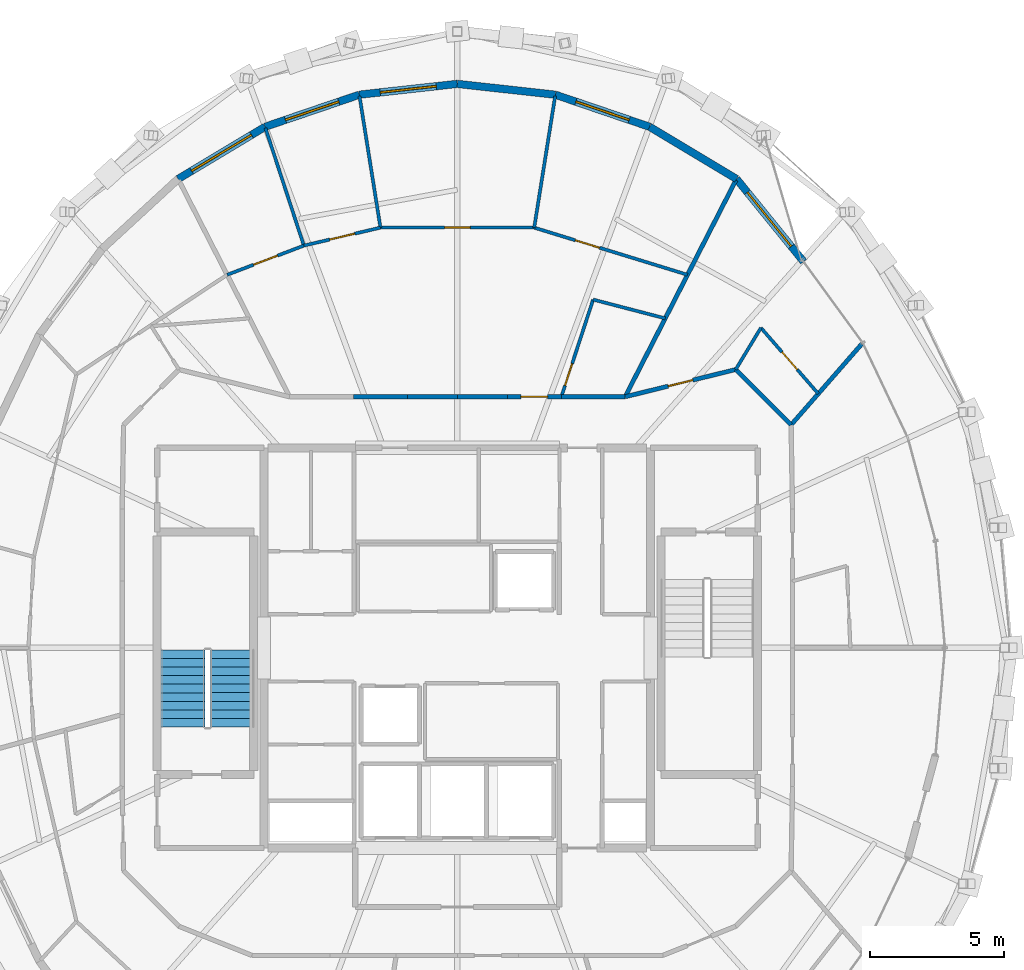
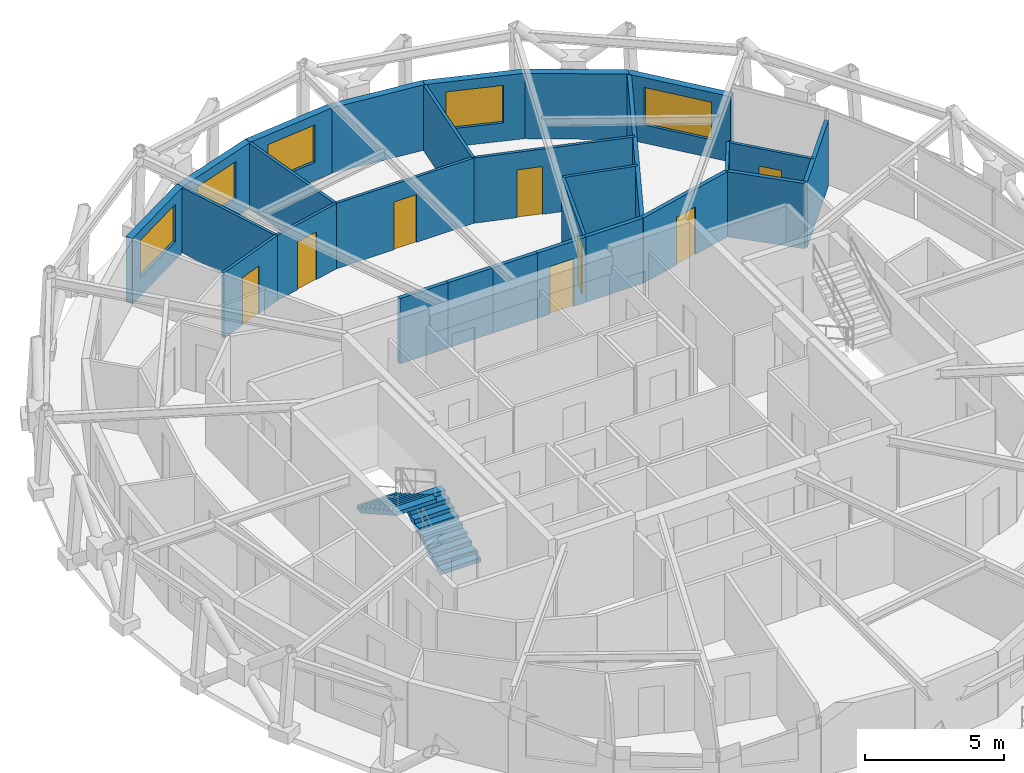
# One storey, part 14 of 16: 27 walls, 8 doors, 5 windows, 2 stair flights, 13 openings, 1 element without a shape of its own.
"""IFC4 building model written with IfcOpenShell, lengths in metres."""

from ifc_helpers import new_model, si_unit, direction, frame, frame_2d, origin, place, context, subcontext, project, spatial, polyline, rectangle, outline, extrude, material, layer, layer_set, type_object, element, fill, aggregate, save


model = new_model("IFC4")

# Units and contexts
model_context = context("Model", 3, precision=1e-05, world=origin(), true_north=direction((0.0, 1.0)))
body_context = subcontext(model_context, "Body", "Model", "MODEL_VIEW")
ifc_project = project(units=[si_unit("LENGTHUNIT", "METRE"), si_unit("AREAUNIT", "SQUARE_METRE"), si_unit("VOLUMEUNIT", "CUBIC_METRE"), si_unit("PLANEANGLEUNIT", "RADIAN"), si_unit("MASSUNIT", "GRAM", prefix="KILO")], contexts=[model_context])

# Site, building, storey
site_placement = place(None, origin())
site = spatial("IfcSite", under=ifc_project, at=site_placement, CompositionType="ELEMENT")
building_placement = place(site_placement, origin())
building = spatial("IfcBuilding", under=site, at=building_placement, Name="Veldorina Hangang Commons", CompositionType="ELEMENT")
storey_placement = place(building_placement, frame((0.0, 0.0, 279.60009765625)))
storey = spatial("IfcBuildingStorey", under=building, at=storey_placement, Name="L73", CompositionType="ELEMENT", Elevation=279.60009765625)

# Wall, opening, window
ifc_material_1 = material(Name="Stone Roman Travertine", Category="masonry")
ifc_layer_1 = layer(ifc_material_1, 0.280029296875)
ifc_layer_set_1 = layer_set([ifc_layer_1], Name="Stone Roman Travertine")
wall_type_1 = type_object("IfcWallType", Name="EW-TRAV-280", PredefinedType="STANDARD", material=ifc_layer_set_1)
wall_1_placement = place(storey_placement, frame((44.893798828125, 38.38232421875, 0.0), z_axis=(0.0, 0.0, 1.0), x_axis=(-0.629952569376, 0.776633607524, 0.0)))
wall_1 = element("IfcWall", 1, at=wall_1_placement, inside=storey, type_object=wall_type_1, Name="L73 travertine facade wall 04", PredefinedType="STANDARD", context=body_context, shape_type="SweptSolid", body=[
    extrude(rectangle(XDim=3.964599609375, YDim=0.280029296875, at=frame_2d((1.982421875, 0.0))), origin(), (0.0, 0.0, 1.0), 2.8798828125),
])
opening_1_placement = place(wall_1_placement, frame((0.728515625, 0.0, 0.800048828125)))
opening_1 = element("IfcOpeningElement", 2, at=opening_1_placement, cuts=wall_1, Name="Opening W-02", PredefinedType="OPENING", context=body_context, shape_type="SweptSolid", body=[
    extrude(rectangle(XDim=2.60009765625, YDim=1.64990234375, at=frame_2d((1.300048828125, 0.824951171875))), frame((0.0, 0.14990234375, 0.0), z_axis=(0.0, -1.0, 0.0), x_axis=(1.0, 0.0, 0.0)), (0.0, 0.0, 1.0), 0.300048828125),
])
ifc_material_2 = material(Name="Glass Low-E Triple IGU", Category="glass")
window_type_1 = type_object("IfcWindowType", Name="WIN-TWR-2600", PartitioningType="SINGLE_PANEL", PredefinedType="WINDOW", material=ifc_material_2)
window_1_placement = place(opening_1_placement, origin())
window_1 = element("IfcWindow", 3, at=window_1_placement, inside=storey, type_object=window_type_1, Name="L73 facade window 04", OverallHeight=1.64990234375, OverallWidth=2.60009765625, PartitioningType="SINGLE_PANEL", PredefinedType="WINDOW", context=body_context, shape_type="SweptSolid", body=[
    extrude(rectangle(XDim=2.60009765625, YDim=1.64990234375, at=frame_2d((1.300048828125, 0.824951171875))), frame((0.0, 0.030029296875, 0.0), z_axis=(0.0, -1.0, 0.0), x_axis=(1.0, 0.0, 0.0)), (0.0, 0.0, 1.0), 0.06005859375),
])
fill(opening_1, window_1)

# Wall
wall_2_placement = place(storey_placement, frame((42.396240234375, 41.46142578125, 0.0), z_axis=(0.0, 0.0, 1.0), x_axis=(-0.857555727465, 0.514391071357, 0.0)))
element("IfcWall", 4, at=wall_2_placement, inside=storey, type_object=wall_type_1, Name="L73 travertine facade wall 05", PredefinedType="STANDARD", context=body_context, shape_type="SweptSolid", body=[
    extrude(rectangle(XDim=3.772705078125, YDim=0.280029296875, at=frame_2d((1.88623046875, 0.0))), origin(), (0.0, 0.0, 1.0), 2.8798828125),
])

# Wall, opening, window
wall_3_placement = place(storey_placement, frame((39.160888671875, 43.402099609375, 0.0), z_axis=(0.0, 0.0, 1.0), x_axis=(-0.946642640744, 0.322285138854, 0.0)))
wall_3 = element("IfcWall", 5, at=wall_3_placement, inside=storey, type_object=wall_type_1, Name="L73 travertine facade wall 06", PredefinedType="STANDARD", context=body_context, shape_type="SweptSolid", body=[
    extrude(rectangle(XDim=3.7080078125, YDim=0.280029296875, at=frame_2d((1.85400390625, 0.0))), origin(), (0.0, 0.0, 1.0), 2.8798828125),
])
opening_2_placement = place(wall_3_placement, frame((0.80419921875, 0.0, 0.800048828125)))
opening_2 = element("IfcOpeningElement", 6, at=opening_2_placement, cuts=wall_3, Name="Opening W-03", PredefinedType="OPENING", context=body_context, shape_type="SweptSolid", body=[
    extrude(rectangle(XDim=2.10009765625, YDim=1.64990234375, at=frame_2d((1.050048828125, 0.824951171875))), frame((0.0, 0.14990234375, 0.0), z_axis=(0.0, -1.0, 0.0), x_axis=(1.0, 0.0, 0.0)), (0.0, 0.0, 1.0), 0.300048828125),
])
window_type_2 = type_object("IfcWindowType", Name="WIN-TWR-2100", PartitioningType="SINGLE_PANEL", PredefinedType="WINDOW", material=ifc_material_2)
window_2_placement = place(opening_2_placement, origin())
window_2 = element("IfcWindow", 7, at=window_2_placement, inside=storey, type_object=window_type_2, Name="L73 facade window 06", OverallHeight=1.64990234375, OverallWidth=2.10009765625, PartitioningType="SINGLE_PANEL", PredefinedType="WINDOW", context=body_context, shape_type="SweptSolid", body=[
    extrude(rectangle(XDim=2.10009765625, YDim=1.64990234375, at=frame_2d((1.050048828125, 0.824951171875))), frame((0.0, 0.030029296875, 0.0), z_axis=(0.0, -1.0, 0.0), x_axis=(1.0, 0.0, 0.0)), (0.0, 0.0, 1.0), 0.06005859375),
])
fill(opening_2, window_2)

# Wall
wall_4_placement = place(storey_placement, frame((35.650634765625, 44.59716796875, 0.0), z_axis=(0.0, 0.0, 1.0), x_axis=(-0.993952444877, 0.10981137156, 0.0)))
element("IfcWall", 8, at=wall_4_placement, inside=storey, type_object=wall_type_1, Name="L73 travertine facade wall 07", PredefinedType="STANDARD", context=body_context, shape_type="SweptSolid", body=[
    extrude(rectangle(XDim=3.6728515625, YDim=0.280029296875, at=frame_2d((1.83642578125, 0.0))), origin(), (0.0, 0.0, 1.0), 2.8798828125),
])

# Wall, opening, window
wall_5_placement = place(storey_placement, frame((32.0, 45.00048828125, 0.0), z_axis=(0.0, 0.0, 1.0), x_axis=(-0.993952444877, -0.10981137156, 0.0)))
wall_5 = element("IfcWall", 9, at=wall_5_placement, inside=storey, type_object=wall_type_1, Name="L73 travertine facade wall 08", PredefinedType="STANDARD", context=body_context, shape_type="SweptSolid", body=[
    extrude(rectangle(XDim=3.6728515625, YDim=0.280029296875, at=frame_2d((1.83642578125, 0.0))), origin(), (0.0, 0.0, 1.0), 2.8798828125),
])
opening_3_placement = place(wall_5_placement, frame((0.78662109375, 0.0, 0.800048828125)))
opening_3 = element("IfcOpeningElement", 10, at=opening_3_placement, cuts=wall_5, Name="Opening W-03", PredefinedType="OPENING", context=body_context, shape_type="SweptSolid", body=[
    extrude(rectangle(XDim=2.10009765625, YDim=1.64990234375, at=frame_2d((1.050048828125, 0.824951171875))), frame((0.0, 0.14990234375, 0.0), z_axis=(0.0, -1.0, 0.0), x_axis=(1.0, 0.0, 0.0)), (0.0, 0.0, 1.0), 0.300048828125),
])
window_3_placement = place(opening_3_placement, origin())
window_3 = element("IfcWindow", 11, at=window_3_placement, inside=storey, type_object=window_type_2, Name="L73 facade window 08", OverallHeight=1.64990234375, OverallWidth=2.10009765625, PartitioningType="SINGLE_PANEL", PredefinedType="WINDOW", context=body_context, shape_type="SweptSolid", body=[
    extrude(rectangle(XDim=2.10009765625, YDim=1.64990234375, at=frame_2d((1.050048828125, 0.824951171875))), frame((0.0, 0.030029296875, 0.0), z_axis=(0.0, -1.0, 0.0), x_axis=(1.0, 0.0, 0.0)), (0.0, 0.0, 1.0), 0.06005859375),
])
fill(opening_3, window_3)

wall_6_placement = place(storey_placement, frame((28.349365234375, 44.59716796875, 0.0), z_axis=(0.0, 0.0, 1.0), x_axis=(-0.946642640744, -0.322285138854, 0.0)))
wall_6 = element("IfcWall", 12, at=wall_6_placement, inside=storey, type_object=wall_type_1, Name="L73 travertine facade wall 09", PredefinedType="STANDARD", context=body_context, shape_type="SweptSolid", body=[
    extrude(rectangle(XDim=3.7080078125, YDim=0.280029296875, at=frame_2d((1.85400390625, 0.0))), origin(), (0.0, 0.0, 1.0), 2.8798828125),
])
opening_4_placement = place(wall_6_placement, frame((0.80419921875, 0.0, 0.800048828125)))
opening_4 = element("IfcOpeningElement", 13, at=opening_4_placement, cuts=wall_6, Name="Opening W-03", PredefinedType="OPENING", context=body_context, shape_type="SweptSolid", body=[
    extrude(rectangle(XDim=2.10009765625, YDim=1.64990234375, at=frame_2d((1.050048828125, 0.824951171875))), frame((0.0, 0.14990234375, 0.0), z_axis=(0.0, -1.0, 0.0), x_axis=(1.0, 0.0, 0.0)), (0.0, 0.0, 1.0), 0.300048828125),
])
window_4_placement = place(opening_4_placement, origin())
window_4 = element("IfcWindow", 14, at=window_4_placement, inside=storey, type_object=window_type_2, Name="L73 facade window 09", OverallHeight=1.64990234375, OverallWidth=2.10009765625, PartitioningType="SINGLE_PANEL", PredefinedType="WINDOW", context=body_context, shape_type="SweptSolid", body=[
    extrude(rectangle(XDim=2.10009765625, YDim=1.64990234375, at=frame_2d((1.050048828125, 0.824951171875))), frame((0.0, 0.030029296875, 0.0), z_axis=(0.0, -1.0, 0.0), x_axis=(1.0, 0.0, 0.0)), (0.0, 0.0, 1.0), 0.06005859375),
])
fill(opening_4, window_4)

wall_7_placement = place(storey_placement, frame((24.839111328125, 43.402099609375, 0.0), z_axis=(0.0, 0.0, 1.0), x_axis=(-0.857555727465, -0.514391071357, 0.0)))
wall_7 = element("IfcWall", 15, at=wall_7_placement, inside=storey, type_object=wall_type_1, Name="L73 travertine facade wall 10", PredefinedType="STANDARD", context=body_context, shape_type="SweptSolid", body=[
    extrude(rectangle(XDim=3.772705078125, YDim=0.280029296875, at=frame_2d((1.88623046875, 0.0))), origin(), (0.0, 0.0, 1.0), 2.8798828125),
])
opening_5_placement = place(wall_7_placement, frame((0.586181640625, 0.0, 0.800048828125)))
opening_5 = element("IfcOpeningElement", 16, at=opening_5_placement, cuts=wall_7, Name="Opening W-02", PredefinedType="OPENING", context=body_context, shape_type="SweptSolid", body=[
    extrude(rectangle(XDim=2.60009765625, YDim=1.64990234375, at=frame_2d((1.300048828125, 0.824951171875))), frame((0.0, 0.14990234375, 0.0), z_axis=(0.0, -1.0, 0.0), x_axis=(1.0, 0.0, 0.0)), (0.0, 0.0, 1.0), 0.300048828125),
])
window_5_placement = place(opening_5_placement, origin())
window_5 = element("IfcWindow", 17, at=window_5_placement, inside=storey, type_object=window_type_1, Name="L73 facade window 10", OverallHeight=1.64990234375, OverallWidth=2.60009765625, PartitioningType="SINGLE_PANEL", PredefinedType="WINDOW", context=body_context, shape_type="SweptSolid", body=[
    extrude(rectangle(XDim=2.60009765625, YDim=1.64990234375, at=frame_2d((1.300048828125, 0.824951171875))), frame((0.0, 0.030029296875, 0.0), z_axis=(0.0, -1.0, 0.0), x_axis=(1.0, 0.0, 0.0)), (0.0, 0.0, 1.0), 0.06005859375),
])
fill(opening_5, window_5)

# Wall
ifc_material_3 = material(Name="Gypsum Fire-Rated Twin Stud Wall", Category="gypsum")
ifc_layer_2 = layer(ifc_material_3, 0.159912109375)
ifc_layer_set_2 = layer_set([ifc_layer_2], Name="Gypsum Fire-Rated Twin Stud Wall")
wall_type_2 = type_object("IfcWallType", Name="WL-FIRE-160", PredefinedType="SOLIDWALL", material=ifc_layer_set_2)
wall_8_placement = place(storey_placement, frame((44.4267578125, 32.30322265625, 0.0), z_axis=(0.0, 0.0, 1.0), x_axis=(-0.707106781187, 0.707106781187, 0.0)))
element("IfcWall", 18, at=wall_8_placement, inside=storey, type_object=wall_type_2, Name="L73 Compact collar outer wall 03 057", PredefinedType="SOLIDWALL", context=body_context, shape_type="SweptSolid", body=[
    extrude(rectangle(XDim=2.915771484375, YDim=0.159912109375, at=frame_2d((1.4580078125, 0.0))), origin(), (0.0, 0.0, 1.0), 2.869873046875),
])

# Wall, opening, door
wall_9_placement = place(storey_placement, frame((42.364990234375, 34.364990234375, 0.0), z_axis=(0.0, 0.0, 1.0), x_axis=(-0.970939799552, -0.239323850978, 0.0)))
wall_9 = element("IfcWall", 19, at=wall_9_placement, inside=storey, type_object=wall_type_2, Name="L73 Compact collar outer wall 04 058", PredefinedType="SOLIDWALL", context=body_context, shape_type="SweptSolid", body=[
    extrude(rectangle(XDim=4.24072265625, YDim=0.159912109375, at=frame_2d((2.120361328125, 0.0))), origin(), (0.0, 0.0, 1.0), 2.869873046875),
])
opening_6_placement = place(wall_9_placement, frame((1.6455078125, 0.0, 0.0)))
opening_6 = element("IfcOpeningElement", 20, at=opening_6_placement, cuts=wall_9, Name="Opening D-03", PredefinedType="OPENING", context=body_context, shape_type="SweptSolid", body=[
    extrude(rectangle(XDim=0.949951171875, YDim=2.10009765625, at=frame_2d((0.47509765625, 1.050048828125))), frame((0.0, 0.08984375, 0.0), z_axis=(0.0, -1.0, 0.0), x_axis=(1.0, 0.0, 0.0)), (0.0, 0.0, 1.0), 0.179931640625),
])
ifc_material_4 = material(Name="Timber Fire-Rated Entrance Core", Category="wood")
door_type_1 = type_object("IfcDoorType", Name="DR-UNIT-950", OperationType="SINGLE_SWING_RIGHT", PredefinedType="DOOR", material=ifc_material_4)
door_1_placement = place(opening_6_placement, origin())
door_1 = element("IfcDoor", 21, at=door_1_placement, inside=storey, type_object=door_type_1, Name="L73 Studio 3 entrance door 026", OperationType="SINGLE_SWING_RIGHT", OverallHeight=2.10009765625, OverallWidth=0.949951171875, PredefinedType="DOOR", context=body_context, shape_type="SweptSolid", body=[
    extrude(rectangle(XDim=0.949951171875, YDim=2.10009765625, at=frame_2d((0.47509765625, 1.050048828125))), frame((0.0, 0.02490234375, 0.0), z_axis=(0.0, -1.0, 0.0), x_axis=(1.0, 0.0, 0.0)), (0.0, 0.0, 1.0), 0.050048828125),
])
fill(opening_6, door_1)

# Wall
wall_10_placement = place(storey_placement, frame((38.24755859375, 33.35009765625, 0.0), z_axis=(0.0, 0.0, 1.0), x_axis=(-1.0, 0.0, 0.0)))
element("IfcWall", 22, at=wall_10_placement, inside=storey, type_object=wall_type_2, Name="L73 Compact collar outer wall 05 059", PredefinedType="SOLIDWALL", context=body_context, shape_type="SweptSolid", body=[
    extrude(rectangle(XDim=2.374755859375, YDim=0.159912109375, at=frame_2d((1.1875, 0.0))), origin(), (0.0, 0.0, 1.0), 2.869873046875),
])

# Wall, opening, door
wall_11_placement = place(storey_placement, frame((35.872802734375, 33.35009765625, 0.0), z_axis=(0.0, 0.0, 1.0), x_axis=(-1.0, 0.0, 0.0)))
wall_11 = element("IfcWall", 23, at=wall_11_placement, inside=storey, type_object=wall_type_2, Name="L73 Compact collar outer wall 06 060", PredefinedType="SOLIDWALL", context=body_context, shape_type="SweptSolid", body=[
    extrude(rectangle(XDim=2.012939453125, YDim=0.159912109375, at=frame_2d((1.00634765625, 0.0))), origin(), (0.0, 0.0, 1.0), 2.869873046875),
])
opening_7_placement = place(wall_11_placement, frame((0.506591796875, 0.0, 0.0)))
opening_7 = element("IfcOpeningElement", 24, at=opening_7_placement, cuts=wall_11, Name="Opening D-06", PredefinedType="OPENING", context=body_context, shape_type="SweptSolid", body=[
    extrude(rectangle(XDim=1.0, YDim=2.10009765625, at=frame_2d((0.5, 1.050048828125))), frame((0.0, 0.08984375, 0.0), z_axis=(0.0, -1.0, 0.0), x_axis=(1.0, 0.0, 0.0)), (0.0, 0.0, 1.0), 0.179931640625),
])
door_type_2 = type_object("IfcDoorType", Name="DR-UNIT-1000", OperationType="SINGLE_SWING_LEFT", PredefinedType="DOOR", material=ifc_material_4)
door_2_placement = place(opening_7_placement, origin())
door_2 = element("IfcDoor", 25, at=door_2_placement, inside=storey, type_object=door_type_2, Name="L73 Cluster 4 entrance door 028", OperationType="SINGLE_SWING_RIGHT", OverallHeight=2.10009765625, OverallWidth=1.0, PredefinedType="DOOR", context=body_context, shape_type="SweptSolid", body=[
    extrude(rectangle(XDim=1.0, YDim=2.10009765625, at=frame_2d((0.5, 1.050048828125))), frame((0.0, 0.02490234375, 0.0), z_axis=(0.0, -1.0, 0.0), x_axis=(1.0, 0.0, 0.0)), (0.0, 0.0, 1.0), 0.050048828125),
])
fill(opening_7, door_2)

# Walls
for number, where, z_axis, x_axis, name in (
    (26, (33.85986328125, 33.35009765625, 0.0), (0.0, 0.0, 1.0), (-1.0, 0.0, 0.0), "L73 Compact collar outer wall 07 061"),
    (27, (32.0, 33.35009765625, 0.0), (0.0, 0.0, 1.0), (-1.0, 0.0, 0.0), "L73 Compact collar outer wall 08 062"),
):
    element("IfcWall", number, at=place(storey_placement, frame(where, z_axis=z_axis, x_axis=x_axis)), inside=storey, type_object=wall_type_2, Name=name, PredefinedType="SOLIDWALL", context=body_context, shape_type="SweptSolid", body=[
        extrude(rectangle(XDim=1.85986328125, YDim=0.159912109375, at=frame_2d((0.929931640625, 0.0))), origin(), (0.0, 0.0, 1.0), 2.869873046875),
    ])
wall_12_placement = place(storey_placement, frame((30.14013671875, 33.35009765625, 0.0), z_axis=(0.0, 0.0, 1.0), x_axis=(-1.0, 0.0, 0.0)))
element("IfcWall", 28, at=wall_12_placement, inside=storey, type_object=wall_type_2, Name="L73 Compact collar outer wall 09 063", PredefinedType="SOLIDWALL", context=body_context, shape_type="SweptSolid", body=[
    extrude(rectangle(XDim=2.012939453125, YDim=0.159912109375, at=frame_2d((1.00634765625, 0.0))), origin(), (0.0, 0.0, 1.0), 2.869873046875),
])
wall_13_placement = place(storey_placement, frame((44.4267578125, 32.30322265625, 0.0), z_axis=(0.0, 0.0, 1.0), x_axis=(0.657843835953, 0.753154358348, 0.0)))
element("IfcWall", 29, at=wall_13_placement, inside=storey, type_object=wall_type_2, Name="L73 Unit party wall 03 090", PredefinedType="SOLIDWALL", context=body_context, shape_type="SweptSolid", body=[
    extrude(rectangle(XDim=4.003662109375, YDim=0.159912109375, at=frame_2d((2.001953125, 0.0))), origin(), (0.0, 0.0, 1.0), 2.869873046875),
])
wall_14_placement = place(storey_placement, frame((38.24755859375, 33.35009765625, 0.0), z_axis=(0.0, 0.0, 1.0), x_axis=(0.455343199474, 0.890315994854, 0.0)))
element("IfcWall", 30, at=wall_14_placement, inside=storey, type_object=wall_type_2, Name="L73 Unit party wall 05 093", PredefinedType="SOLIDWALL", context=body_context, shape_type="SweptSolid", body=[
    extrude(rectangle(XDim=9.060791015625, YDim=0.159912109375, at=frame_2d((4.5302734375, 0.0))), origin(), (0.0, 0.0, 1.0), 2.869873046875),
])

# Wall, opening, door
ifc_material_5 = material(Name="Gypsum Acoustic Stud Partition", Category="gypsum")
ifc_layer_3 = layer(ifc_material_5, 0.1201171875)
ifc_layer_set_3 = layer_set([ifc_layer_3], Name="Gypsum Acoustic Stud Partition")
wall_type_3 = type_object("IfcWallType", Name="WL-PART-120", PredefinedType="PARTITIONING", material=ifc_layer_set_3)
wall_15_placement = place(storey_placement, frame((45.43994140625, 33.46337890625, 0.0), z_axis=(0.0, 0.0, 1.0), x_axis=(-0.656340285245, 0.754464995851, 0.0)))
wall_15 = element("IfcWall", 31, at=wall_15_placement, inside=storey, type_object=wall_type_3, Name="L73 Studio 3 bath front wall 091", PredefinedType="PARTITIONING", context=body_context, shape_type="SweptSolid", body=[
    extrude(rectangle(XDim=3.25439453125, YDim=0.1201171875, at=frame_2d((1.627197265625, 0.0))), origin(), (0.0, 0.0, 1.0), 2.869873046875),
])
opening_8_placement = place(wall_15_placement, frame((1.197265625, 0.0, 0.0)))
opening_8 = element("IfcOpeningElement", 32, at=opening_8_placement, cuts=wall_15, Name="Opening D-01", PredefinedType="OPENING", context=body_context, shape_type="SweptSolid", body=[
    extrude(rectangle(XDim=0.860107421875, YDim=2.10009765625, at=frame_2d((0.43017578125, 1.050048828125))), frame((0.0, 0.070068359375, 0.0), z_axis=(0.0, -1.0, 0.0), x_axis=(1.0, 0.0, 0.0)), (0.0, 0.0, 1.0), 0.14013671875),
])
ifc_material_6 = material(Name="Timber Moisture-Resistant Core", Category="wood")
door_type_3 = type_object("IfcDoorType", Name="DR-WET-860", OperationType="SINGLE_SWING_LEFT", PredefinedType="DOOR", material=ifc_material_6)
door_3_placement = place(opening_8_placement, origin())
door_3 = element("IfcDoor", 33, at=door_3_placement, inside=storey, type_object=door_type_3, Name="L73 Studio 3 bathroom door 025", OperationType="SINGLE_SWING_LEFT", OverallHeight=2.10009765625, OverallWidth=0.860107421875, PredefinedType="DOOR", context=body_context, shape_type="SweptSolid", body=[
    extrude(rectangle(XDim=0.860107421875, YDim=2.10009765625, at=frame_2d((0.43017578125, 1.050048828125))), frame((0.0, 0.02490234375, 0.0), z_axis=(0.0, -1.0, 0.0), x_axis=(1.0, 0.0, 0.0)), (0.0, 0.0, 1.0), 0.050048828125),
])
fill(opening_8, door_3)

# Walls
wall_16_placement = place(storey_placement, frame((42.364990234375, 34.364990234375, 0.0), z_axis=(0.0, 0.0, 1.0), x_axis=(0.517222367242, 0.855851051775, 0.0)))
element("IfcWall", 34, at=wall_16_placement, inside=storey, type_object=wall_type_3, Name="L73 Studio 3 bath side wall 092", PredefinedType="PARTITIONING", context=body_context, shape_type="SweptSolid", body=[
    extrude(rectangle(XDim=1.8154296875, YDim=0.1201171875, at=frame_2d((0.90771484375, 0.0))), origin(), (0.0, 0.0, 1.0), 2.869873046875),
])
wall_17_placement = place(storey_placement, frame((39.740966796875, 36.27001953125, 0.0), z_axis=(0.0, 0.0, 1.0), x_axis=(-0.967751731416, 0.251905907714, 0.0)))
element("IfcWall", 35, at=wall_17_placement, inside=storey, type_object=wall_type_3, Name="L73 Cluster 4 bath front wall 094", PredefinedType="PARTITIONING", context=body_context, shape_type="SweptSolid", body=[
    extrude(rectangle(XDim=2.773681640625, YDim=0.1201171875, at=frame_2d((1.38671875, 0.0))), origin(), (0.0, 0.0, 1.0), 2.869873046875),
])

# Wall, opening, door
wall_18_placement = place(storey_placement, frame((35.872802734375, 33.35009765625, 0.0), z_axis=(0.0, 0.0, 1.0), x_axis=(0.310932697292, 0.950431932205, 0.0)))
wall_18 = element("IfcWall", 36, at=wall_18_placement, inside=storey, type_object=wall_type_3, Name="L73 Cluster 4 bath side wall 095", PredefinedType="PARTITIONING", context=body_context, shape_type="SweptSolid", body=[
    extrude(rectangle(XDim=3.807373046875, YDim=0.1201171875, at=frame_2d((1.90380859375, 0.0))), origin(), (0.0, 0.0, 1.0), 2.869873046875),
])
opening_9_placement = place(wall_18_placement, frame((0.43994140625, 0.0, 0.0)))
opening_9 = element("IfcOpeningElement", 37, at=opening_9_placement, cuts=wall_18, Name="Opening D-01", PredefinedType="OPENING", context=body_context, shape_type="SweptSolid", body=[
    extrude(rectangle(XDim=0.860107421875, YDim=2.10009765625, at=frame_2d((0.43017578125, 1.050048828125))), frame((0.0, 0.070068359375, 0.0), z_axis=(0.0, -1.0, 0.0), x_axis=(1.0, 0.0, 0.0)), (0.0, 0.0, 1.0), 0.14013671875),
])
door_4_placement = place(opening_9_placement, origin())
door_4 = element("IfcDoor", 38, at=door_4_placement, inside=storey, type_object=door_type_3, Name="L73 Cluster 4 shared bathroom door 027", OperationType="SINGLE_SWING_LEFT", OverallHeight=2.10009765625, OverallWidth=0.860107421875, PredefinedType="DOOR", context=body_context, shape_type="SweptSolid", body=[
    extrude(rectangle(XDim=0.860107421875, YDim=2.10009765625, at=frame_2d((0.43017578125, 1.050048828125))), frame((0.0, 0.02490234375, 0.0), z_axis=(0.0, -1.0, 0.0), x_axis=(1.0, 0.0, 0.0)), (0.0, 0.0, 1.0), 0.050048828125),
])
fill(opening_9, door_4)

wall_19_placement = place(storey_placement, frame((40.57080078125, 37.892333984375, 0.0), z_axis=(0.0, 0.0, 1.0), x_axis=(-0.955788731156, 0.294054249068, 0.0)))
wall_19 = element("IfcWall", 39, at=wall_19_placement, inside=storey, type_object=wall_type_3, Name="L73 Cluster 4 bed 1 front wall 096", PredefinedType="PARTITIONING", context=body_context, shape_type="SweptSolid", body=[
    extrude(rectangle(XDim=5.971923828125, YDim=0.1201171875, at=frame_2d((2.98583984375, 0.0))), origin(), (0.0, 0.0, 1.0), 2.869873046875),
])
opening_10_placement = place(wall_19_placement, frame((3.42236328125, 0.0, 0.0)))
opening_10 = element("IfcOpeningElement", 40, at=opening_10_placement, cuts=wall_19, Name="Opening D-02", PredefinedType="OPENING", context=body_context, shape_type="SweptSolid", body=[
    extrude(rectangle(XDim=0.949951171875, YDim=2.10009765625, at=frame_2d((0.47509765625, 1.050048828125))), frame((0.0, 0.070068359375, 0.0), z_axis=(0.0, -1.0, 0.0), x_axis=(1.0, 0.0, 0.0)), (0.0, 0.0, 1.0), 0.14013671875),
])
ifc_material_7 = material(Name="Timber Solid Core Acoustic", Category="wood")
door_type_4 = type_object("IfcDoorType", Name="DR-INT-950", OperationType="SINGLE_SWING_LEFT", PredefinedType="DOOR", material=ifc_material_7)
door_5_placement = place(opening_10_placement, origin())
door_5 = element("IfcDoor", 41, at=door_5_placement, inside=storey, type_object=door_type_4, Name="L73 Cluster 4 bed 1 door 029", OperationType="SINGLE_SWING_LEFT", OverallHeight=2.10009765625, OverallWidth=0.949951171875, PredefinedType="DOOR", context=body_context, shape_type="SweptSolid", body=[
    extrude(rectangle(XDim=0.949951171875, YDim=2.10009765625, at=frame_2d((0.47509765625, 1.050048828125))), frame((0.0, 0.02490234375, 0.0), z_axis=(0.0, -1.0, 0.0), x_axis=(1.0, 0.0, 0.0)), (0.0, 0.0, 1.0), 0.050048828125),
])
fill(opening_10, door_5)

wall_20_placement = place(storey_placement, frame((34.86279296875, 39.6484375, 0.0), z_axis=(0.0, 0.0, 1.0), x_axis=(-1.0, 0.0, 0.0)))
wall_20 = element("IfcWall", 42, at=wall_20_placement, inside=storey, type_object=wall_type_3, Name="L73 Cluster 4 bed 2 front wall 097", PredefinedType="PARTITIONING", context=body_context, shape_type="SweptSolid", body=[
    extrude(rectangle(XDim=5.7255859375, YDim=0.1201171875, at=frame_2d((2.86279296875, 0.0))), origin(), (0.0, 0.0, 1.0), 2.869873046875),
])
opening_11_placement = place(wall_20_placement, frame((2.3876953125, 0.0, 0.0)))
opening_11 = element("IfcOpeningElement", 43, at=opening_11_placement, cuts=wall_20, Name="Opening D-02", PredefinedType="OPENING", context=body_context, shape_type="SweptSolid", body=[
    extrude(rectangle(XDim=0.949951171875, YDim=2.10009765625, at=frame_2d((0.47509765625, 1.050048828125))), frame((0.0, 0.070068359375, 0.0), z_axis=(0.0, -1.0, 0.0), x_axis=(1.0, 0.0, 0.0)), (0.0, 0.0, 1.0), 0.14013671875),
])
door_6_placement = place(opening_11_placement, origin())
door_6 = element("IfcDoor", 44, at=door_6_placement, inside=storey, type_object=door_type_4, Name="L73 Cluster 4 bed 2 door 030", OperationType="SINGLE_SWING_RIGHT", OverallHeight=2.10009765625, OverallWidth=0.949951171875, PredefinedType="DOOR", context=body_context, shape_type="SweptSolid", body=[
    extrude(rectangle(XDim=0.949951171875, YDim=2.10009765625, at=frame_2d((0.47509765625, 1.050048828125))), frame((0.0, 0.02490234375, 0.0), z_axis=(0.0, -1.0, 0.0), x_axis=(1.0, 0.0, 0.0)), (0.0, 0.0, 1.0), 0.050048828125),
])
fill(opening_11, door_6)

# Wall
wall_21_placement = place(storey_placement, frame((34.86279296875, 39.6484375, 0.0), z_axis=(0.0, 0.0, 1.0), x_axis=(0.157236134309, 0.98756103511, 0.0)))
element("IfcWall", 45, at=wall_21_placement, inside=storey, type_object=wall_type_3, Name="L73 Cluster 4 bed divider 1 098", PredefinedType="PARTITIONING", context=body_context, shape_type="SweptSolid", body=[
    extrude(rectangle(XDim=4.9609375, YDim=0.1201171875, at=frame_2d((2.48046875, 0.0))), origin(), (0.0, 0.0, 1.0), 2.869873046875),
])

# Wall, opening, door
wall_22_placement = place(storey_placement, frame((29.13720703125, 39.6484375, 0.0), z_axis=(0.0, 0.0, 1.0), x_axis=(-0.973528560289, -0.228565400489, 0.0)))
wall_22 = element("IfcWall", 46, at=wall_22_placement, inside=storey, type_object=wall_type_3, Name="L73 Cluster 4 bed 3 front wall 099", PredefinedType="PARTITIONING", context=body_context, shape_type="SweptSolid", body=[
    extrude(rectangle(XDim=2.928955078125, YDim=0.1201171875, at=frame_2d((1.46435546875, 0.0))), origin(), (0.0, 0.0, 1.0), 2.869873046875),
])
opening_12_placement = place(wall_22_placement, frame((0.989501953125, 0.0, 0.0)))
opening_12 = element("IfcOpeningElement", 47, at=opening_12_placement, cuts=wall_22, Name="Opening D-02", PredefinedType="OPENING", context=body_context, shape_type="SweptSolid", body=[
    extrude(rectangle(XDim=0.949951171875, YDim=2.10009765625, at=frame_2d((0.47509765625, 1.050048828125))), frame((0.0, 0.070068359375, 0.0), z_axis=(0.0, -1.0, 0.0), x_axis=(1.0, 0.0, 0.0)), (0.0, 0.0, 1.0), 0.14013671875),
])
door_7_placement = place(opening_12_placement, origin())
door_7 = element("IfcDoor", 48, at=door_7_placement, inside=storey, type_object=door_type_4, Name="L73 Cluster 4 bed 3 door 031", OperationType="SINGLE_SWING_LEFT", OverallHeight=2.10009765625, OverallWidth=0.949951171875, PredefinedType="DOOR", context=body_context, shape_type="SweptSolid", body=[
    extrude(rectangle(XDim=0.949951171875, YDim=2.10009765625, at=frame_2d((0.47509765625, 1.050048828125))), frame((0.0, 0.02490234375, 0.0), z_axis=(0.0, -1.0, 0.0), x_axis=(1.0, 0.0, 0.0)), (0.0, 0.0, 1.0), 0.050048828125),
])
fill(opening_12, door_7)

# Wall
wall_23_placement = place(storey_placement, frame((29.13720703125, 39.6484375, 0.0), z_axis=(0.0, 0.0, 1.0), x_axis=(-0.157236134309, 0.98756103511, 0.0)))
element("IfcWall", 49, at=wall_23_placement, inside=storey, type_object=wall_type_3, Name="L73 Cluster 4 bed divider 2 100", PredefinedType="PARTITIONING", context=body_context, shape_type="SweptSolid", body=[
    extrude(rectangle(XDim=4.9609375, YDim=0.1201171875, at=frame_2d((2.48046875, 0.0))), origin(), (0.0, 0.0, 1.0), 2.869873046875),
])

# Wall, opening, door
wall_24_placement = place(storey_placement, frame((26.285888671875, 38.97900390625, 0.0), z_axis=(0.0, 0.0, 1.0), x_axis=(-0.934660984689, -0.355540213901, 0.0)))
wall_24 = element("IfcWall", 50, at=wall_24_placement, inside=storey, type_object=wall_type_3, Name="L73 Cluster 4 bed 4 front wall 101", PredefinedType="PARTITIONING", context=body_context, shape_type="SweptSolid", body=[
    extrude(rectangle(XDim=3.056396484375, YDim=0.1201171875, at=frame_2d((1.5283203125, 0.0))), origin(), (0.0, 0.0, 1.0), 2.869873046875),
])
opening_13_placement = place(wall_24_placement, frame((1.05322265625, 0.0, 0.0)))
opening_13 = element("IfcOpeningElement", 51, at=opening_13_placement, cuts=wall_24, Name="Opening D-02", PredefinedType="OPENING", context=body_context, shape_type="SweptSolid", body=[
    extrude(rectangle(XDim=0.949951171875, YDim=2.10009765625, at=frame_2d((0.47509765625, 1.050048828125))), frame((0.0, 0.070068359375, 0.0), z_axis=(0.0, -1.0, 0.0), x_axis=(1.0, 0.0, 0.0)), (0.0, 0.0, 1.0), 0.14013671875),
])
door_8_placement = place(opening_13_placement, origin())
door_8 = element("IfcDoor", 52, at=door_8_placement, inside=storey, type_object=door_type_4, Name="L73 Cluster 4 bed 4 door 032", OperationType="SINGLE_SWING_RIGHT", OverallHeight=2.10009765625, OverallWidth=0.949951171875, PredefinedType="DOOR", context=body_context, shape_type="SweptSolid", body=[
    extrude(rectangle(XDim=0.949951171875, YDim=2.10009765625, at=frame_2d((0.47509765625, 1.050048828125))), frame((0.0, 0.02490234375, 0.0), z_axis=(0.0, -1.0, 0.0), x_axis=(1.0, 0.0, 0.0)), (0.0, 0.0, 1.0), 0.050048828125),
])
fill(opening_13, door_8)

# Wall
wall_25_placement = place(storey_placement, frame((26.285888671875, 38.97900390625, 0.0), z_axis=(0.0, 0.0, 1.0), x_axis=(-0.310924966345, 0.95043446134, 0.0)))
element("IfcWall", 53, at=wall_25_placement, inside=storey, type_object=wall_type_3, Name="L73 Cluster 4 bed divider 3 102", PredefinedType="PARTITIONING", context=body_context, shape_type="SweptSolid", body=[
    extrude(rectangle(XDim=4.603759765625, YDim=0.1201171875, at=frame_2d((2.3017578125, 0.0))), origin(), (0.0, 0.0, 1.0), 2.869873046875),
])

# Stair, stair flights
ifc_material_8 = material(Name="Concrete C40/50", Category="concrete")
stair_type = type_object("IfcStairType", Name="STR-DOG-1650-20R", PredefinedType="HALF_TURN_STAIR", material=ifc_material_8)
stair_placement = place(storey_placement, origin())
stair = element("IfcStair", 54, at=stair_placement, inside=storey, type_object=stair_type, Name="L73 Exit stair ST-1", PredefinedType="HALF_TURN_STAIR")
stair_flight_type = type_object("IfcStairFlightType", Name="SFL-STR-1650-20R", PredefinedType="STRAIGHT", material=ifc_material_8)
stair_flight_1_placement = place(storey_placement, frame((23.625, 21.050048828125, 0.0), z_axis=(0.0, 0.0, 1.0), x_axis=(0.0, 1.0, 0.0)))
stair_flight_1 = element("IfcStairFlight", 55, at=stair_flight_1_placement, type_object=stair_flight_type, Name="ST-1 flight 1", NumberOfRisers=10, NumberOfTreads=9, PredefinedType="STRAIGHT", RiserHeight=0.18, TreadLength=0.32, context=body_context, shape_type="SweptSolid", body=[
    extrude(outline(polyline([(0.0, 0.0), (0.0, 0.179931640625), (0.320068359375, 0.179931640625), (0.320068359375, 0.360107421875), (0.639892578125, 0.360107421875), (0.639892578125, 0.5400390625), (0.9599609375, 0.5400390625), (0.9599609375, 0.719970703125), (1.280029296875, 0.719970703125), (1.280029296875, 0.89990234375), (1.60009765625, 0.89990234375), (1.60009765625, 1.080078125), (1.919921875, 1.080078125), (1.919921875, 1.260009765625), (2.239990234375, 1.260009765625), (2.239990234375, 1.43994140625), (2.56005859375, 1.43994140625), (2.56005859375, 1.6201171875), (2.8798828125, 1.6201171875), (2.8798828125, 1.800048828125), (2.8798828125, 1.447998046875), (0.3056640625, 0.0), (0.0, 0.0)])), frame((0.0, 0.824951171875, 0.0), z_axis=(0.0, -1.0, 0.0), x_axis=(1.0, 0.0, 0.0)), (0.0, 0.0, 1.0), 1.64990234375),
])
stair_flight_2_placement = place(storey_placement, frame((21.77490234375, 23.929931640625, 1.7998046875), z_axis=(0.0, 0.0, 1.0), x_axis=(0.0, -1.0, 0.0)))
stair_flight_2 = element("IfcStairFlight", 56, at=stair_flight_2_placement, type_object=stair_flight_type, Name="ST-1 flight 2", NumberOfRisers=10, NumberOfTreads=9, PredefinedType="STRAIGHT", RiserHeight=0.18, TreadLength=0.32, context=body_context, shape_type="SweptSolid", body=[
    extrude(outline(polyline([(0.0, 0.0), (0.0, 0.179931640625), (0.320068359375, 0.179931640625), (0.320068359375, 0.360107421875), (0.639892578125, 0.360107421875), (0.639892578125, 0.5400390625), (0.9599609375, 0.5400390625), (0.9599609375, 0.719970703125), (1.280029296875, 0.719970703125), (1.280029296875, 0.89990234375), (1.60009765625, 0.89990234375), (1.60009765625, 1.080078125), (1.919921875, 1.080078125), (1.919921875, 1.260009765625), (2.239990234375, 1.260009765625), (2.239990234375, 1.43994140625), (2.56005859375, 1.43994140625), (2.56005859375, 1.6201171875), (2.8798828125, 1.6201171875), (2.8798828125, 1.800048828125), (2.8798828125, 1.447998046875), (0.3056640625, 0.0), (0.0, 0.0)])), frame((0.0, 0.824951171875, 0.0), z_axis=(0.0, -1.0, 0.0), x_axis=(1.0, 0.0, 0.0)), (0.0, 0.0, 1.0), 1.64990234375),
])
aggregate(stair, [stair_flight_1, stair_flight_2])

save(model, "model.ifc")
